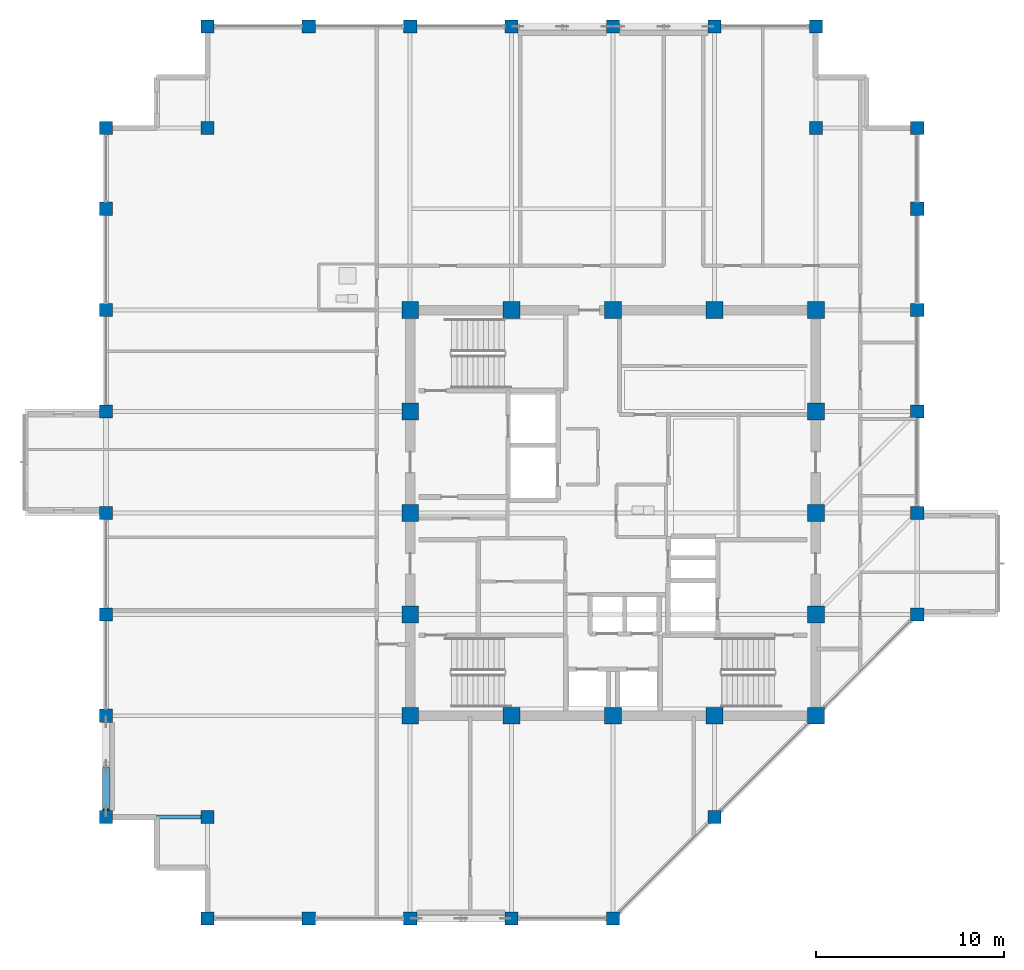
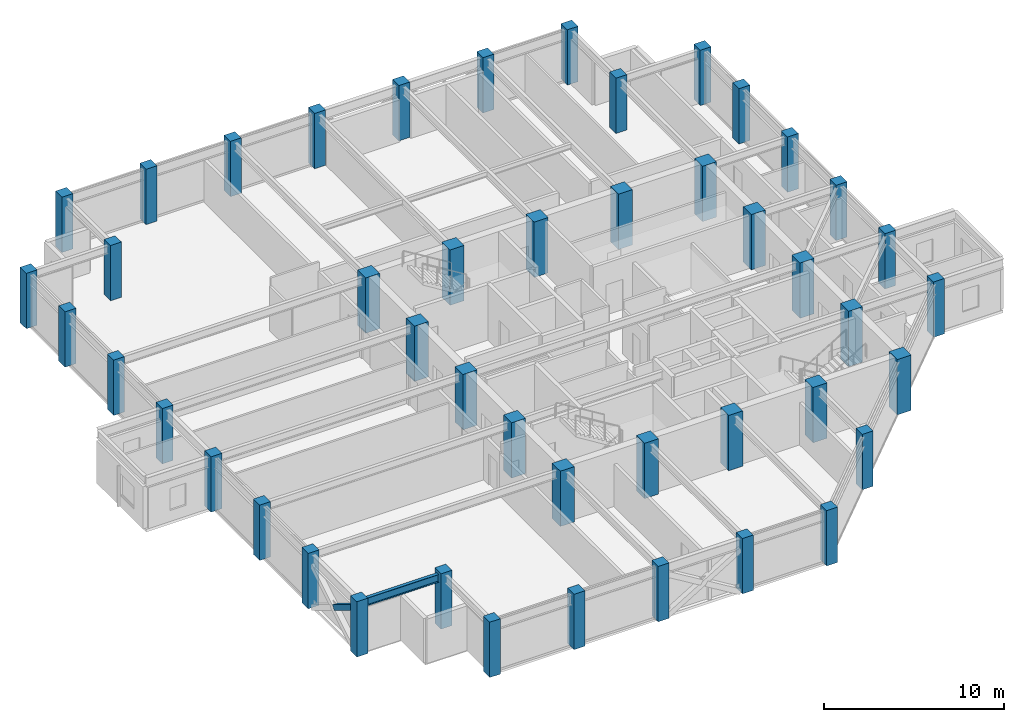
# One storey, part 1 of 31: 46 columns, 1 beam, 1 member.
"""IFC4 building model written with IfcOpenShell, lengths in metres."""

from ifc_helpers import new_model, si_unit, direction, frame, origin, origin_2d, place, context, subcontext, project, spatial, rectangle, hollow_rectangle, i_section, extrude, material, material_profile, profile_set, type_object, element, save


model = new_model("IFC4")

# Units and contexts
model_context = context("Model", 3, precision=1e-05, world=origin(), true_north=direction((0.0, 1.0)))
body_context = subcontext(model_context, "Body", "Model", "MODEL_VIEW")
ifc_project = project(units=[si_unit("LENGTHUNIT", "METRE"), si_unit("AREAUNIT", "SQUARE_METRE"), si_unit("VOLUMEUNIT", "CUBIC_METRE"), si_unit("PLANEANGLEUNIT", "RADIAN"), si_unit("MASSUNIT", "GRAM", prefix="KILO")], contexts=[model_context])

# Site, building, storey
site_placement = place(None, origin())
site = spatial("IfcSite", under=ifc_project, at=site_placement, CompositionType="ELEMENT")
building_placement = place(site_placement, origin())
building = spatial("IfcBuilding", under=site, at=building_placement, Name="Surkhivell Harbour Commons", CompositionType="ELEMENT")
storey_placement = place(building_placement, frame((0.0, 0.0, 318.75)))
storey = spatial("IfcBuildingStorey", under=building, at=storey_placement, Name="L83", CompositionType="ELEMENT", Elevation=318.75)

# Columns
ifc_material_1 = material(Name="Concrete C60/75", Category="concrete")
ifc_material_profile_1 = material_profile(ifc_material_1, rectangle(XDim=0.89990234375, YDim=0.89990234375, at=origin_2d()), Name="RC-COL-900x900")
ifc_profile_set_1 = profile_set([ifc_material_profile_1], Name="Concrete C60/75")
column_type_1 = type_object("IfcColumnType", Name="COL-TUBE-Z3A", PredefinedType="COLUMN", material=ifc_profile_set_1)
for number, where, z_axis, x_axis, name in (
    (1, (-10.800048828125, -10.800048828125, 0.0), (0.0, 0.0, 1.0), (1.0, 0.0, 0.0), "L83 Column CT-3A (-10.8,-10.8)"),
    (2, (-10.800048828125, -5.39990234375, 0.0), (0.0, 0.0, 1.0), (1.0, 0.0, 0.0), "L83 Column CT-3A (-10.8,-5.4)"),
    (3, (-10.800048828125, 0.0, 0.0), (0.0, 0.0, 1.0), (1.0, 0.0, 0.0), "L83 Column CT-3A (-10.8,0.0)"),
    (4, (-10.800048828125, 5.39990234375, 0.0), (0.0, 0.0, 1.0), (1.0, 0.0, 0.0), "L83 Column CT-3A (-10.8,5.4)"),
    (5, (-10.800048828125, 10.800048828125, 0.0), (0.0, 0.0, 1.0), (1.0, 0.0, 0.0), "L83 Column CT-3A (-10.8,10.8)"),
    (6, (-5.39990234375, -10.800048828125, 0.0), (0.0, 0.0, 1.0), (1.0, 0.0, 0.0), "L83 Column CT-3A (-5.4,-10.8)"),
    (7, (-5.39990234375, 10.800048828125, 0.0), (0.0, 0.0, 1.0), (1.0, 0.0, 0.0), "L83 Column CT-3A (-5.4,10.8)"),
    (8, (0.0, -10.800048828125, 0.0), (0.0, 0.0, 1.0), (1.0, 0.0, 0.0), "L83 Column CT-3A (0.0,-10.8)"),
    (9, (0.0, 10.800048828125, 0.0), (0.0, 0.0, 1.0), (1.0, 0.0, 0.0), "L83 Column CT-3A (0.0,10.8)"),
    (10, (5.39990234375, -10.800048828125, 0.0), (0.0, 0.0, 1.0), (1.0, 0.0, 0.0), "L83 Column CT-3A (5.4,-10.8)"),
    (11, (5.39990234375, 10.800048828125, 0.0), (0.0, 0.0, 1.0), (1.0, 0.0, 0.0), "L83 Column CT-3A (5.4,10.8)"),
    (12, (10.800048828125, -10.800048828125, 0.0), (0.0, 0.0, 1.0), (1.0, 0.0, 0.0), "L83 Column CT-3A (10.8,-10.8)"),
    (13, (10.800048828125, -5.39990234375, 0.0), (0.0, 0.0, 1.0), (1.0, 0.0, 0.0), "L83 Column CT-3A (10.8,-5.4)"),
    (14, (10.800048828125, 0.0, 0.0), (0.0, 0.0, 1.0), (1.0, 0.0, 0.0), "L83 Column CT-3A (10.8,0.0)"),
    (15, (10.800048828125, 5.39990234375, 0.0), (0.0, 0.0, 1.0), (1.0, 0.0, 0.0), "L83 Column CT-3A (10.8,5.4)"),
    (16, (10.800048828125, 10.800048828125, 0.0), (0.0, 0.0, 1.0), (1.0, 0.0, 0.0), "L83 Column CT-3A (10.8,10.8)"),
):
    element("IfcColumn", number, at=place(storey_placement, frame(where, z_axis=z_axis, x_axis=x_axis)), inside=storey, type_object=column_type_1, Name=name, PredefinedType="COLUMN", context=body_context, shape_type="SweptSolid", body=[
        extrude(rectangle(XDim=0.89990234375, YDim=0.89990234375, at=origin_2d()), origin(), (0.0, 0.0, 1.0), 3.75),
    ])
ifc_material_2 = material(Name="Concrete C50/60", Category="concrete")
ifc_material_profile_2 = material_profile(ifc_material_2, rectangle(XDim=0.699951171875, YDim=0.699951171875, at=origin_2d()), Name="RC-COL-700x700")
ifc_profile_set_2 = profile_set([ifc_material_profile_2], Name="Concrete C50/60")
column_type_2 = type_object("IfcColumnType", Name="COL-TUBE-Z4", PredefinedType="COLUMN", material=ifc_profile_set_2)
for number, where, z_axis, x_axis, name in (
    (17, (-27.0, -16.199951171875, 0.0), (0.0, 0.0, 1.0), (1.0, 0.0, 0.0), "L83 Column CT-4 (-27.0,-16.2)"),
    (18, (-27.0, -10.800048828125, 0.0), (0.0, 0.0, 1.0), (1.0, 0.0, 0.0), "L83 Column CT-4 (-27.0,-10.8)"),
    (19, (-27.0, -5.39990234375, 0.0), (0.0, 0.0, 1.0), (1.0, 0.0, 0.0), "L83 Column CT-4 (-27.0,-5.4)"),
    (20, (-27.0, 0.0, 0.0), (0.0, 0.0, 1.0), (1.0, 0.0, 0.0), "L83 Column CT-4 (-27.0,0.0)"),
    (21, (-27.0, 5.39990234375, 0.0), (0.0, 0.0, 1.0), (1.0, 0.0, 0.0), "L83 Column CT-4 (-27.0,5.4)"),
    (22, (-27.0, 10.800048828125, 0.0), (0.0, 0.0, 1.0), (1.0, 0.0, 0.0), "L83 Column CT-4 (-27.0,10.8)"),
    (23, (-27.0, 16.199951171875, 0.0), (0.0, 0.0, 1.0), (1.0, 0.0, 0.0), "L83 Column CT-4 (-27.0,16.2)"),
    (24, (-27.0, 20.5, 0.0), (0.0, 0.0, 1.0), (1.0, 0.0, 0.0), "L83 Column CT-4 (-27.0,20.5)"),
    (25, (-21.60009765625, -21.60009765625, 0.0), (0.0, 0.0, 1.0), (1.0, 0.0, 0.0), "L83 Column CT-4 (-21.6,-21.6)"),
    (26, (-21.60009765625, -16.199951171875, 0.0), (0.0, 0.0, 1.0), (1.0, 0.0, 0.0), "L83 Column CT-4 (-21.6,-16.2)"),
    (27, (-21.60009765625, 20.5, 0.0), (0.0, 0.0, 1.0), (1.0, 0.0, 0.0), "L83 Column CT-4 (-21.6,20.5)"),
    (28, (-21.60009765625, 25.89990234375, 0.0), (0.0, 0.0, 1.0), (1.0, 0.0, 0.0), "L83 Column CT-4 (-21.6,25.9)"),
    (29, (-16.199951171875, -21.60009765625, 0.0), (0.0, 0.0, 1.0), (1.0, 0.0, 0.0), "L83 Column CT-4 (-16.2,-21.6)"),
    (30, (-16.199951171875, 25.89990234375, 0.0), (0.0, 0.0, 1.0), (1.0, 0.0, 0.0), "L83 Column CT-4 (-16.2,25.9)"),
    (31, (-10.800048828125, -21.60009765625, 0.0), (0.0, 0.0, 1.0), (1.0, 0.0, 0.0), "L83 Column CT-4 (-10.8,-21.6)"),
    (32, (-10.800048828125, 25.89990234375, 0.0), (0.0, 0.0, 1.0), (1.0, 0.0, 0.0), "L83 Column CT-4 (-10.8,25.9)"),
    (33, (-5.39990234375, -21.60009765625, 0.0), (0.0, 0.0, 1.0), (1.0, 0.0, 0.0), "L83 Column CT-4 (-5.4,-21.6)"),
    (34, (-5.39990234375, 25.89990234375, 0.0), (0.0, 0.0, 1.0), (1.0, 0.0, 0.0), "L83 Column CT-4 (-5.4,25.9)"),
    (35, (0.0, -21.60009765625, 0.0), (0.0, 0.0, 1.0), (1.0, 0.0, 0.0), "L83 Column CT-4 (-0.0,-21.6)"),
    (36, (0.0, 25.89990234375, 0.0), (0.0, 0.0, 1.0), (1.0, 0.0, 0.0), "L83 Column CT-4 (-0.0,25.9)"),
    (37, (5.39990234375, -16.199951171875, 0.0), (0.0, 0.0, 1.0), (1.0, 0.0, 0.0), "L83 Column CT-4 (5.4,-16.2)"),
    (38, (5.39990234375, 25.89990234375, 0.0), (0.0, 0.0, 1.0), (1.0, 0.0, 0.0), "L83 Column CT-4 (5.4,25.9)"),
    (39, (10.800048828125, 20.5, 0.0), (0.0, 0.0, 1.0), (1.0, 0.0, 0.0), "L83 Column CT-4 (10.8,20.5)"),
    (40, (10.800048828125, 25.89990234375, 0.0), (0.0, 0.0, 1.0), (1.0, 0.0, 0.0), "L83 Column CT-4 (10.8,25.9)"),
    (41, (16.199951171875, -5.39990234375, 0.0), (0.0, 0.0, 1.0), (1.0, 0.0, 0.0), "L83 Column CT-4 (16.2,-5.4)"),
    (42, (16.199951171875, 0.0, 0.0), (0.0, 0.0, 1.0), (1.0, 0.0, 0.0), "L83 Column CT-4 (16.2,0.0)"),
    (43, (16.199951171875, 5.39990234375, 0.0), (0.0, 0.0, 1.0), (1.0, 0.0, 0.0), "L83 Column CT-4 (16.2,5.4)"),
    (44, (16.199951171875, 10.800048828125, 0.0), (0.0, 0.0, 1.0), (1.0, 0.0, 0.0), "L83 Column CT-4 (16.2,10.8)"),
    (45, (16.199951171875, 16.199951171875, 0.0), (0.0, 0.0, 1.0), (1.0, 0.0, 0.0), "L83 Column CT-4 (16.2,16.2)"),
    (46, (16.199951171875, 20.5, 0.0), (0.0, 0.0, 1.0), (1.0, 0.0, 0.0), "L83 Column CT-4 (16.2,20.5)"),
):
    element("IfcColumn", number, at=place(storey_placement, frame(where, z_axis=z_axis, x_axis=x_axis)), inside=storey, type_object=column_type_2, Name=name, PredefinedType="COLUMN", context=body_context, shape_type="SweptSolid", body=[
        extrude(rectangle(XDim=0.699951171875, YDim=0.699951171875, at=origin_2d()), origin(), (0.0, 0.0, 1.0), 3.75),
    ])

# Beam
ifc_material_3 = material(Name="Steel S355", Category="steel")
ifc_material_profile_3 = material_profile(ifc_material_3, i_section(OverallWidth=0.2099609375, OverallDepth=0.537109375, WebThickness=0.0107421875, FlangeThickness=0.017333984375, at=origin_2d()), Name="UB533x210x101")
ifc_profile_set_3 = profile_set([ifc_material_profile_3], Name="Steel S355")
beam_type = type_object("IfcBeamType", Name="BM-GRD-533B", PredefinedType="BEAM", material=ifc_profile_set_3)
beam_placement = place(storey_placement, frame((-27.0, -16.199951171875, 3.301513671875), z_axis=(1.0, 0.0, 0.0), x_axis=(0.0, 1.0, 0.0)))
element("IfcBeam", 47, at=beam_placement, inside=storey, type_object=beam_type, Name="L83 Floor Girder (-27.0,-16.2)", PredefinedType="BEAM", context=body_context, shape_type="SweptSolid", body=[
    extrude(i_section(OverallWidth=0.2099609375, OverallDepth=0.537109375, WebThickness=0.0107421875, FlangeThickness=0.017333984375, at=origin_2d()), origin(), (0.0, 0.0, 1.0), 5.39990234375),
])

# Member
ifc_material_profile_4 = material_profile(ifc_material_3, hollow_rectangle(XDim=0.35009765625, YDim=0.35009765625, WallThickness=0.01611328125, at=origin_2d()), Name="SHS350x350x16")
ifc_profile_set_4 = profile_set([ifc_material_profile_4], Name="Steel S355")
member_type = type_object("IfcMemberType", Name="MEM-BRC-SHS350", PredefinedType="BRACE", material=ifc_profile_set_4)
member_placement = place(storey_placement, frame((-27.0, -13.6435546875, 1.53173828125), z_axis=(0.0, -0.854678858595, 0.51915705588), x_axis=(1.0, 0.0, 0.0)))
element("IfcMember", 48, at=member_placement, inside=storey, type_object=member_type, Name="L83 Perimeter Mega-Brace MB- 12", PredefinedType="BRACE", context=body_context, shape_type="SweptSolid", body=[
    extrude(hollow_rectangle(XDim=0.35009765625, YDim=0.35009765625, WallThickness=0.01611328125, at=origin_2d()), origin(), (0.0, 0.0, 1.0), 2.59912109375),
])

save(model, "model.ifc")
